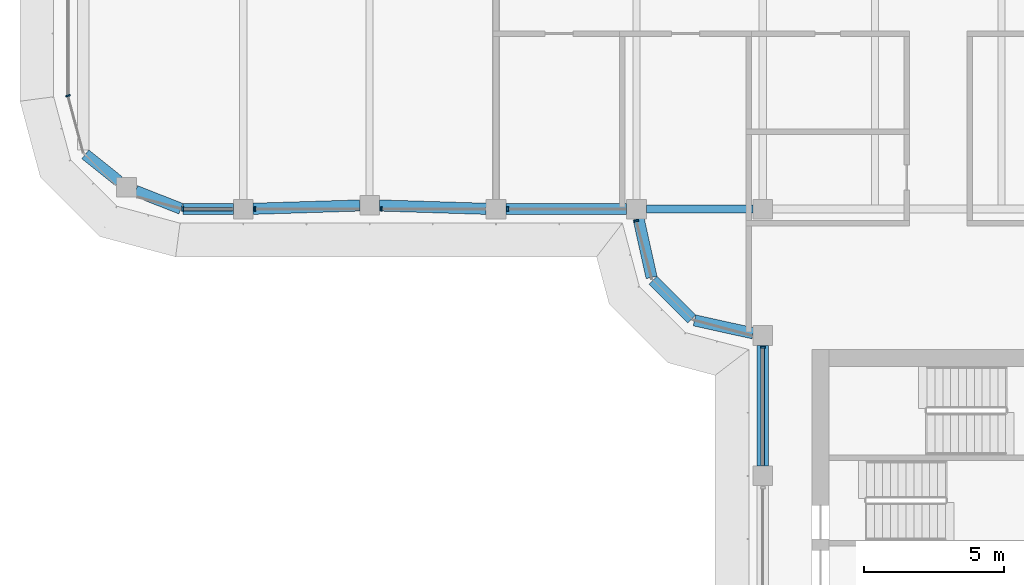
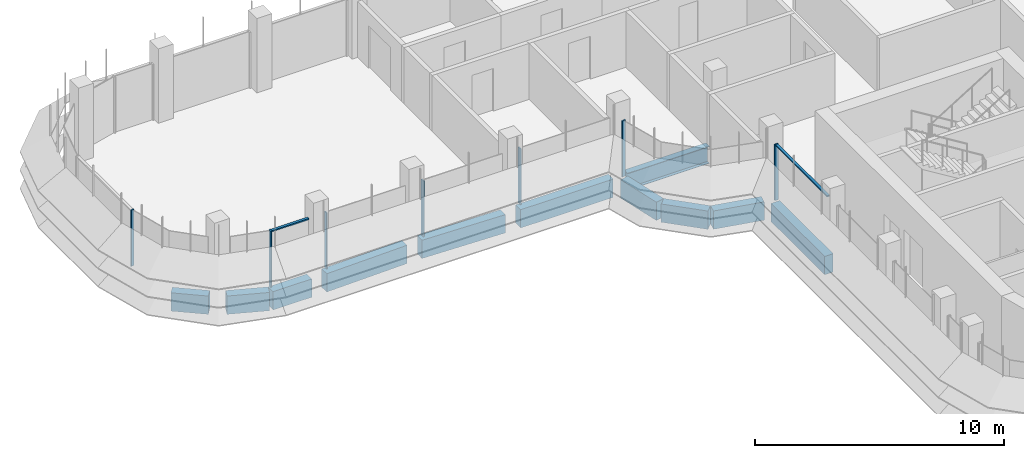
# One storey, part 3 of 18: 11 beams, 9 members, 4 elements without a shape of their own.
"""IFC4 building model written with IfcOpenShell, lengths in metres."""

from ifc_helpers import new_model, si_unit, direction, frame, origin, origin_2d, place, context, subcontext, project, spatial, polyline, rectangle, i_section, outline, extrude, source, transform, mapped, material, material_profile, profile_set, type_object, element, aggregate, save


model = new_model("IFC4")

# Units and contexts
model_context = context("Model", 3, precision=1e-05, world=origin(), true_north=direction((0.0, 1.0)))
body_context = subcontext(model_context, "Body", "Model", "MODEL_VIEW")
ifc_project = project(units=[si_unit("LENGTHUNIT", "METRE"), si_unit("AREAUNIT", "SQUARE_METRE"), si_unit("VOLUMEUNIT", "CUBIC_METRE"), si_unit("PLANEANGLEUNIT", "RADIAN"), si_unit("MASSUNIT", "GRAM", prefix="KILO")], contexts=[model_context])

# Site, building, storey
site_placement = place(None, origin())
site = spatial("IfcSite", under=ifc_project, at=site_placement, CompositionType="ELEMENT")
building_placement = place(site_placement, origin())
building = spatial("IfcBuilding", under=site, at=building_placement, Name="Zarbagh Exchange Tower", CompositionType="ELEMENT")
storey_placement = place(building_placement, frame((0.0, 0.0, 206.800048828125)))
storey = spatial("IfcBuildingStorey", under=building, at=storey_placement, Name="L50", CompositionType="ELEMENT", Elevation=206.800048828125)

# Beams
ifc_material_1 = material(Name="Steel ASTM A992 Gr 50", Category="steel")
ifc_material_profile_1 = material_profile(ifc_material_1, i_section(OverallWidth=0.2919921875, OverallDepth=0.835693359375, WebThickness=0.013916015625, FlangeThickness=0.018798828125, at=origin_2d()), Name="W33X118")
ifc_profile_set_1 = profile_set([ifc_material_profile_1], Name="Steel ASTM A992 Gr 50")
beam_type_1 = type_object("IfcBeamType", Name="Floor girder W33X118", PredefinedType="BEAM", material=ifc_profile_set_1)
beam_1_placement = place(storey_placement, frame((-10.39990234375, -6.25, -0.56787109375), z_axis=(1.0, 0.0, 0.0), x_axis=(0.0, 1.0, 0.0)))
element("IfcBeam", 1, at=beam_1_placement, inside=storey, type_object=beam_type_1, Name="Steel girder", PredefinedType="BEAM", context=body_context, shape_type="SweptSolid", body=[
    extrude(i_section(OverallWidth=0.2919921875, OverallDepth=0.835693359375, WebThickness=0.013916015625, FlangeThickness=0.018798828125, at=origin_2d()), origin(), (0.0, 0.0, 1.0), 3.7998046875),
])
ifc_material_2 = material(Name="Concrete C50/60", Category="concrete")
ifc_material_profile_2 = material_profile(ifc_material_2, rectangle(XDim=0.39990234375, YDim=0.89990234375, at=origin_2d()), Name="RC spandrel beam 400 x 900 C50/60")
ifc_profile_set_2 = profile_set([ifc_material_profile_2], Name="Concrete C50/60")
beam_type_2 = type_object("IfcBeamType", Name="RC spandrel beam 400 x 900 C50/60", PredefinedType="SPANDREL", material=ifc_profile_set_2)
beam_2_placement = place(storey_placement, frame((-6.25, -15.39990234375, -0.60009765625), z_axis=(0.0, 1.0, 0.0), x_axis=(-1.0, 0.0, 0.0)))
element("IfcBeam", 2, at=beam_2_placement, inside=storey, type_object=beam_type_2, Name="RC spandrel beam", PredefinedType="SPANDREL", context=body_context, shape_type="SweptSolid", body=[
    extrude(rectangle(XDim=0.39990234375, YDim=0.89990234375, at=origin_2d()), origin(), (0.0, 0.0, 1.0), 4.2998046875),
])
beam_3_placement = place(storey_placement, frame((-6.591796875, -10.67431640625, -0.60009765625), z_axis=(-0.97639036545, 0.216013551096, 0.0), x_axis=(-0.216013551096, -0.97639036545, 0.0)))
element("IfcBeam", 3, at=beam_3_placement, inside=storey, type_object=beam_type_2, Name="RC spandrel beam", PredefinedType="SPANDREL", context=body_context, shape_type="SweptSolid", body=[
    extrude(rectangle(XDim=0.39990234375, YDim=0.89990234375, at=origin_2d()), origin(), (0.0, 0.0, 1.0), 2.142822265625),
])
beam_4_placement = place(storey_placement, frame((-8.782470703125, -10.15771484375, -0.60009765625), z_axis=(-0.707106781187, 0.707106781187, 0.0), x_axis=(-0.707106781187, -0.707106781187, 0.0)))
element("IfcBeam", 4, at=beam_4_placement, inside=storey, type_object=beam_type_2, Name="RC spandrel beam", PredefinedType="SPANDREL", context=body_context, shape_type="SweptSolid", body=[
    extrude(rectangle(XDim=0.39990234375, YDim=0.89990234375, at=origin_2d()), origin(), (0.0, 0.0, 1.0), 1.94482421875),
])
beam_5_placement = place(storey_placement, frame((-10.21142578125, -8.68408203125, -0.60009765625), z_axis=(-0.216013551096, 0.97639036545, 0.0), x_axis=(-0.97639036545, -0.216013551096, 0.0)))
element("IfcBeam", 5, at=beam_5_placement, inside=storey, type_object=beam_type_2, Name="RC spandrel beam", PredefinedType="SPANDREL", context=body_context, shape_type="SweptSolid", body=[
    extrude(rectangle(XDim=0.39990234375, YDim=0.89990234375, at=origin_2d()), origin(), (0.0, 0.0, 1.0), 2.142822265625),
])
beam_6_placement = place(storey_placement, frame((-11.10009765625, -6.25, -0.60009765625), z_axis=(-1.0, 0.0, 0.0), x_axis=(0.0, -1.0, 0.0)))
element("IfcBeam", 6, at=beam_6_placement, inside=storey, type_object=beam_type_2, Name="RC spandrel beam", PredefinedType="SPANDREL", context=body_context, shape_type="SweptSolid", body=[
    extrude(rectangle(XDim=0.39990234375, YDim=0.89990234375, at=origin_2d()), origin(), (0.0, 0.0, 1.0), 4.2998046875),
])
for number, where, z_axis, x_axis, name in (
    (7, (-16.099853515625, -6.239013671875, -0.60009765625), (-0.999516950199, 0.031078389046, 0.0), (-0.031078389046, -0.999516950199, 0.0), "RC spandrel beam"),
    (8, (-20.599853515625, -6.120849609375, -0.60009765625), (-0.999516950199, -0.031078389046, 0.0), (0.031078389046, -0.999516950199, 0.0), "RC spandrel beam"),
):
    element("IfcBeam", number, at=place(storey_placement, frame(where, z_axis=z_axis, x_axis=x_axis)), inside=storey, type_object=beam_type_2, Name=name, PredefinedType="SPANDREL", context=body_context, shape_type="SweptSolid", body=[
        extrude(rectangle(XDim=0.39990234375, YDim=0.89990234375, at=origin_2d()), origin(), (0.0, 0.0, 1.0), 3.80224609375),
    ])
beam_7_placement = place(storey_placement, frame((-25.10009765625, -6.25, -0.60009765625), z_axis=(-1.0, 0.0, 0.0), x_axis=(0.0, -1.0, 0.0)))
element("IfcBeam", 9, at=beam_7_placement, inside=storey, type_object=beam_type_2, Name="RC spandrel beam", PredefinedType="SPANDREL", context=body_context, shape_type="SweptSolid", body=[
    extrude(rectangle(XDim=0.39990234375, YDim=0.89990234375, at=origin_2d()), origin(), (0.0, 0.0, 1.0), 1.796142578125),
])
beam_8_placement = place(storey_placement, frame((-26.969482421875, -6.236083984375, -0.60009765625), z_axis=(-0.930809711446, 0.365504146457, 0.0), x_axis=(-0.365504146457, -0.930809711446, 0.0)))
element("IfcBeam", 10, at=beam_8_placement, inside=storey, type_object=beam_type_2, Name="RC spandrel beam", PredefinedType="SPANDREL", context=body_context, shape_type="SweptSolid", body=[
    extrude(rectangle(XDim=0.39990234375, YDim=0.89990234375, at=origin_2d()), origin(), (0.0, 0.0, 1.0), 1.732666015625),
])
beam_9_placement = place(storey_placement, frame((-29.18115234375, -5.256103515625, -0.60009765625), z_axis=(-0.780634897504, 0.62498732531, 0.0), x_axis=(-0.62498732531, -0.780634897504, 0.0)))
element("IfcBeam", 11, at=beam_9_placement, inside=storey, type_object=beam_type_2, Name="RC spandrel beam", PredefinedType="SPANDREL", context=body_context, shape_type="SweptSolid", body=[
    extrude(rectangle(XDim=0.39990234375, YDim=0.89990234375, at=origin_2d()), origin(), (0.0, 0.0, 1.0), 1.52783203125),
])

# Curtain wall, member
ifc_material_3 = material(Name="Anodised aluminium frame and glazing", Category="aluminium")
curtain_wall_type = type_object("IfcCurtainWallType", Name="CWB Ribbon glazing, upper zones", PredefinedType="NOTDEFINED", material=ifc_material_3)
curtain_wall_1_placement = place(storey_placement, origin())
curtain_wall_1 = element("IfcCurtainWall", 12, at=curtain_wall_1_placement, inside=storey, type_object=curtain_wall_type, Name="CWB62 curtain wall", PredefinedType="NOTDEFINED")
ifc_material_4 = material(Name="Anodised aluminium frame", Category="aluminium")
member_type_1 = type_object("IfcMemberType", Name="MUB Mullion, anodised aluminium frame", PredefinedType="MULLION", material=ifc_material_4)
shared_shape_1 = source(origin(), body_context, "Body", "SweptSolid", [
    extrude(outline(polyline([(0.0, -0.080078125), (0.06005859375, -0.080078125), (0.06005859375, 0.080078125), (0.0, 0.080078125), (0.0, -0.080078125)])), origin(), (0.0, 0.0, 1.0), 2.75),
])
placement = place(storey_placement, origin())
member_1 = element("IfcMember", 13, at=placement, type_object=member_type_1, Name="CWB62 mullion 1.1", PredefinedType="MULLION", context=body_context, shape_type="MappedRepresentation", body=[
    mapped(shared_shape_1, transform((-31.0, -2.18408203125, 0.0), x_axis=(0.258824779902, -0.965924289636, 0.0), y_axis=(0.965924289636, 0.258824779902, 0.0), z_axis=(0.0, 0.0, 1.0))),
])
aggregate(curtain_wall_1, [member_1])

# Curtain wall, members
curtain_wall_2_placement = place(storey_placement, origin())
curtain_wall_2 = element("IfcCurtainWall", 14, at=curtain_wall_2_placement, inside=storey, type_object=curtain_wall_type, Name="CWB65 curtain wall", PredefinedType="NOTDEFINED")
member_2 = element("IfcMember", 15, at=placement, type_object=member_type_1, Name="CWB65 mullion 1.1", PredefinedType="MULLION", context=body_context, shape_type="MappedRepresentation", body=[
    mapped(shared_shape_1, transform((-26.93408203125, -6.25, 0.0), x_axis=(1.0, 0.0, 0.0), y_axis=(0.0, 1.0, 0.0), z_axis=(0.0, 0.0, 1.0))),
])
member_3 = element("IfcMember", 16, at=placement, type_object=member_type_1, Name="CWB65 mullion 2.1", PredefinedType="MULLION", context=body_context, shape_type="MappedRepresentation", body=[
    mapped(shared_shape_1, transform((-24.35986328125, -6.25, 0.0), x_axis=(1.0, 0.0, 0.0), y_axis=(0.0, 1.0, 0.0), z_axis=(0.0, 0.0, 1.0))),
])
member_4 = element("IfcMember", 17, at=placement, type_object=member_type_1, Name="CWB65 mullion 3.1", PredefinedType="MULLION", context=body_context, shape_type="MappedRepresentation", body=[
    mapped(shared_shape_1, transform((-19.85986328125, -6.25, 0.0), x_axis=(1.0, 0.0, 0.0), y_axis=(0.0, 1.0, 0.0), z_axis=(0.0, 0.0, 1.0))),
])
member_5 = element("IfcMember", 18, at=placement, type_object=member_type_1, Name="CWB65 mullion 4.1", PredefinedType="MULLION", context=body_context, shape_type="MappedRepresentation", body=[
    mapped(shared_shape_1, transform((-15.35986328125, -6.25, 0.0), x_axis=(1.0, 0.0, 0.0), y_axis=(0.0, 1.0, 0.0), z_axis=(0.0, 0.0, 1.0))),
])

# Curtain wall, member
curtain_wall_3_placement = place(storey_placement, origin())
curtain_wall_3 = element("IfcCurtainWall", 19, at=curtain_wall_3_placement, inside=storey, type_object=curtain_wall_type, Name="CWB41 curtain wall", PredefinedType="NOTDEFINED")
member_6 = element("IfcMember", 20, at=placement, type_object=member_type_1, Name="CWB41 mullion 1.1", PredefinedType="MULLION", context=body_context, shape_type="MappedRepresentation", body=[
    mapped(shared_shape_1, transform((-10.76171875, -6.64013671875, 0.0), x_axis=(0.258824779902, -0.965924289636, 0.0), y_axis=(0.965924289636, 0.258824779902, 0.0), z_axis=(0.0, 0.0, 1.0))),
])
aggregate(curtain_wall_3, [member_6])

curtain_wall_4_placement = place(storey_placement, origin())
curtain_wall_4 = element("IfcCurtainWall", 21, at=curtain_wall_4_placement, inside=storey, type_object=curtain_wall_type, Name="CWB53 curtain wall", PredefinedType="NOTDEFINED")
member_7 = element("IfcMember", 22, at=placement, type_object=member_type_1, Name="CWB53 mullion 1.1", PredefinedType="MULLION", context=body_context, shape_type="MappedRepresentation", body=[
    mapped(shared_shape_1, transform((-6.25, -11.14013671875, 0.0), x_axis=(0.0, -1.0, 0.0), y_axis=(1.0, 0.0, 0.0), z_axis=(0.0, 0.0, 1.0))),
])

# Member
member_type_2 = type_object("IfcMemberType", Name="TRB Transom, anodised aluminium frame", PredefinedType="USERDEFINED", material=ifc_material_4)
shared_shape_2 = source(origin(), body_context, "Body", "SweptSolid", [
    extrude(outline(polyline([(-0.06005859375, -0.06005859375), (0.0, -0.06005859375), (0.0, 0.06005859375), (-0.06005859375, 0.06005859375), (-0.06005859375, -0.06005859375)])), origin(), (0.0, 0.0, 1.0), 1.734130859375),
])
member_8 = element("IfcMember", 23, at=placement, type_object=member_type_2, Name="CWB65 transom 1.1", ObjectType="TRANSOM", PredefinedType="USERDEFINED", context=body_context, shape_type="MappedRepresentation", body=[
    mapped(shared_shape_2, transform((-26.874267578125, -6.25, 2.75), x_axis=(0.0, 0.0, 1.0), y_axis=(0.0, -1.0, 0.0), z_axis=(1.0, 0.0, 0.0))),
])

aggregate(curtain_wall_2, [member_2, member_8, member_3, member_4, member_5])

shared_shape_3 = source(origin(), body_context, "Body", "SweptSolid", [
    extrude(outline(polyline([(-0.06005859375, -0.06005859375), (0.0, -0.06005859375), (0.0, 0.06005859375), (-0.06005859375, 0.06005859375), (-0.06005859375, -0.06005859375)])), origin(), (0.0, 0.0, 1.0), 4.159912109375),
])
member_9 = element("IfcMember", 24, at=placement, type_object=member_type_2, Name="CWB53 transom 1.1", ObjectType="TRANSOM", PredefinedType="USERDEFINED", context=body_context, shape_type="MappedRepresentation", body=[
    mapped(shared_shape_3, transform((-6.25, -11.199951171875, 2.75), x_axis=(0.0, 0.0, 1.0), y_axis=(-1.0, 0.0, 0.0), z_axis=(0.0, -1.0, 0.0))),
])

aggregate(curtain_wall_4, [member_7, member_9])

save(model, "model.ifc")
